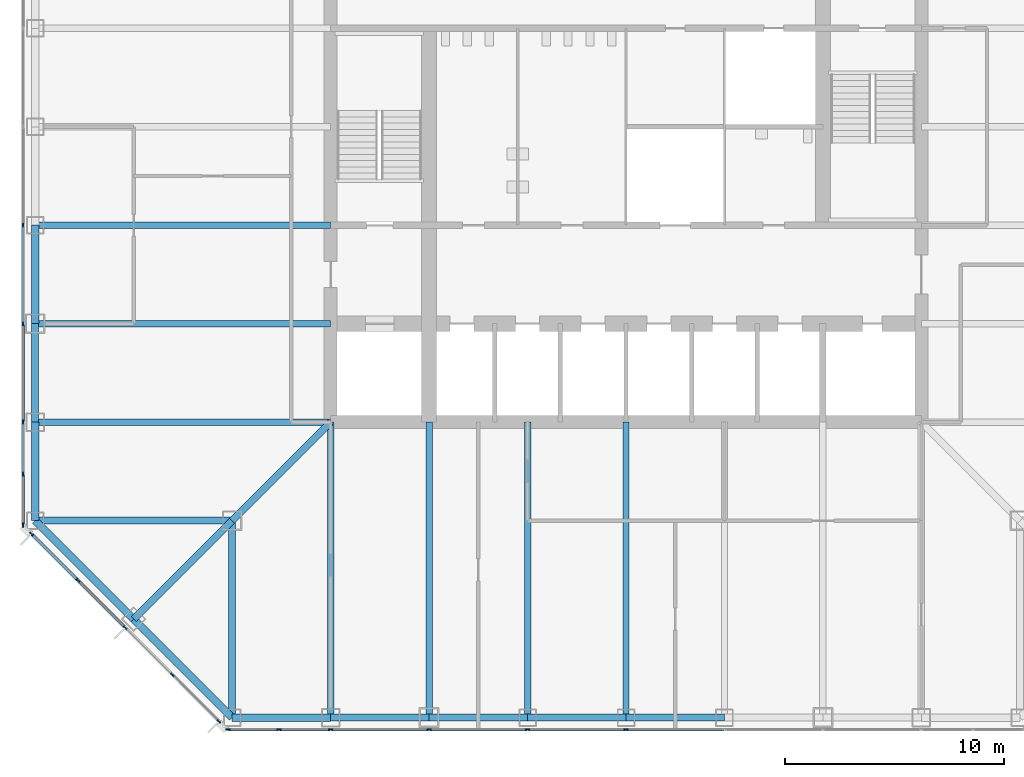
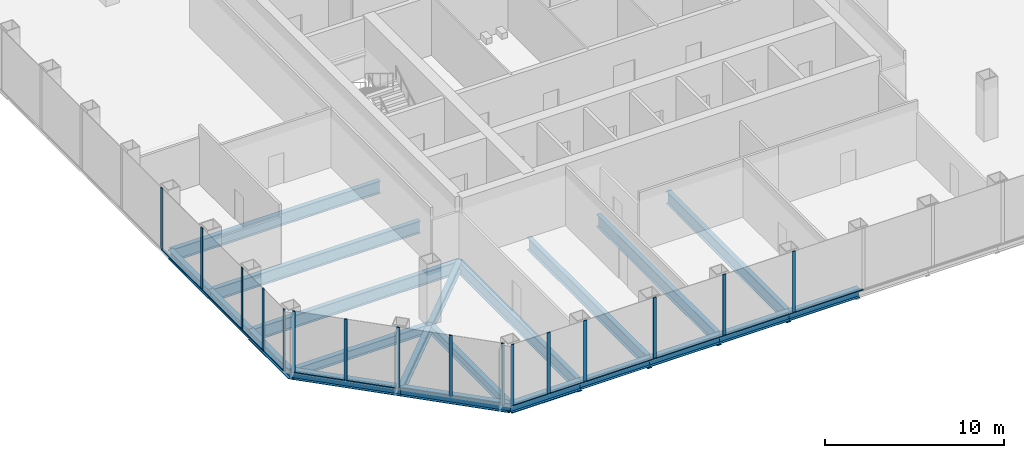
# One storey, part 2 of 13: 28 members, 21 beams, 3 elements without a shape of their own.
"""IFC4 building model written with IfcOpenShell, lengths in metres."""

from ifc_helpers import new_model, si_unit, direction, frame, origin, origin_2d, place, context, subcontext, project, spatial, rectangle, i_section, extrude, material, material_profile, profile_set, type_object, element, aggregate, save


model = new_model("IFC4")

# Units and contexts
model_context = context("Model", 3, precision=1e-05, world=origin(), true_north=direction((0.0, 1.0)))
body_context = subcontext(model_context, "Body", "Model", "MODEL_VIEW")
ifc_project = project(units=[si_unit("LENGTHUNIT", "METRE"), si_unit("AREAUNIT", "SQUARE_METRE"), si_unit("VOLUMEUNIT", "CUBIC_METRE"), si_unit("PLANEANGLEUNIT", "RADIAN"), si_unit("MASSUNIT", "GRAM", prefix="KILO")], contexts=[model_context])

# Site, building, storey
site_placement = place(None, origin())
site = spatial("IfcSite", under=ifc_project, at=site_placement, CompositionType="ELEMENT")
building_placement = place(site_placement, origin())
building = spatial("IfcBuilding", under=site, at=building_placement, Name="Corais Broadcast Tower", CompositionType="ELEMENT")
storey_placement = place(building_placement, frame((0.0, 0.0, 62.60009765625)))
storey = spatial("IfcBuildingStorey", under=building, at=storey_placement, Name="L13", CompositionType="ELEMENT", Elevation=62.60009765625)

# Beams
ifc_material_1 = material(Name="Steel ASTM A572 Grade 50", Category="steel")
ifc_material_profile_1 = material_profile(ifc_material_1, i_section(OverallWidth=0.323974609375, OverallDepth=0.611083984375, WebThickness=0.0126953125, FlangeThickness=0.01904296875, at=origin_2d()), Name="W610x155")
ifc_profile_set_1 = profile_set([ifc_material_profile_1], Name="Steel ASTM A572 Grade 50")
beam_type_1 = type_object("IfcBeamType", Name="Chamfer tie W610x155", PredefinedType="BEAM", material=ifc_profile_set_1)
beam_1_placement = place(storey_placement, frame((4.5, 4.5, -0.465576171875), z_axis=(0.707106781187, 0.707106781187, 0.0), x_axis=(-0.707106781187, 0.707106781187, 0.0)))
element("IfcBeam", 1, at=beam_1_placement, inside=storey, type_object=beam_type_1, Name="B5 B/4 to C/5", PredefinedType="BEAM", context=body_context, shape_type="SweptSolid", body=[
    extrude(i_section(OverallWidth=0.323974609375, OverallDepth=0.611083984375, WebThickness=0.0126953125, FlangeThickness=0.01904296875, at=origin_2d()), origin(), (0.0, 0.0, 1.0), 6.364013671875),
])
ifc_material_2 = material(Name="Steel ASTM A572 Grade 50", Category="steel")
ifc_material_profile_2 = material_profile(ifc_material_2, i_section(OverallWidth=0.323974609375, OverallDepth=0.611083984375, WebThickness=0.0126953125, FlangeThickness=0.01904296875, at=origin_2d()), Name="W610x155")
ifc_profile_set_2 = profile_set([ifc_material_profile_2], Name="Steel ASTM A572 Grade 50")
beam_type_2 = type_object("IfcBeamType", Name="Corner diagonal W610x155", PredefinedType="BEAM", material=ifc_profile_set_2)
beam_2_placement = place(storey_placement, frame((9.0, 9.0, -0.465576171875), z_axis=(0.707106781187, 0.707106781187, 0.0), x_axis=(-0.707106781187, 0.707106781187, 0.0)))
element("IfcBeam", 2, at=beam_2_placement, inside=storey, type_object=beam_type_2, Name="B6 C/5 to D/6", PredefinedType="BEAM", context=body_context, shape_type="SweptSolid", body=[
    extrude(i_section(OverallWidth=0.323974609375, OverallDepth=0.611083984375, WebThickness=0.0126953125, FlangeThickness=0.01904296875, at=origin_2d()), origin(), (0.0, 0.0, 1.0), 6.364013671875),
])
ifc_material_3 = material(Name="Steel ASTM A572 Grade 50", Category="steel")
ifc_material_profile_3 = material_profile(ifc_material_3, i_section(OverallWidth=0.323974609375, OverallDepth=0.611083984375, WebThickness=0.0126953125, FlangeThickness=0.01904296875, at=origin_2d()), Name="W610x155")
ifc_profile_set_3 = profile_set([ifc_material_profile_3], Name="Steel ASTM A572 Grade 50")
beam_type_3 = type_object("IfcBeamType", Name="Corner girder W610x155", PredefinedType="BEAM", material=ifc_profile_set_3)
for number, where, z_axis, x_axis, name in (
    (3, (0.0, 9.0, -0.465576171875), (1.0, 0.0, 0.0), (0.0, 1.0, 0.0), "B4 C/3 to C/5"),
    (4, (9.0, 0.0, -0.465576171875), (0.0, 1.0, 0.0), (-1.0, 0.0, 0.0), "B4 A/5 to C/5"),
):
    element("IfcBeam", number, at=place(storey_placement, frame(where, z_axis=z_axis, x_axis=x_axis)), inside=storey, type_object=beam_type_3, Name=name, PredefinedType="BEAM", context=body_context, shape_type="SweptSolid", body=[
        extrude(i_section(OverallWidth=0.323974609375, OverallDepth=0.611083984375, WebThickness=0.0126953125, FlangeThickness=0.01904296875, at=origin_2d()), origin(), (0.0, 0.0, 1.0), 9.0),
    ])
ifc_material_4 = material(Name="Steel ASTM A572 Grade 50", Category="steel")
ifc_material_profile_4 = material_profile(ifc_material_4, i_section(OverallWidth=0.337890625, OverallDepth=0.677978515625, WebThickness=0.029541015625, FlangeThickness=0.052978515625, at=origin_2d()), Name="W610x415")
ifc_profile_set_4 = profile_set([ifc_material_profile_4], Name="Steel ASTM A572 Grade 50")
beam_type_4 = type_object("IfcBeamType", Name="Corner spandrel W610x415", PredefinedType="BEAM", material=ifc_profile_set_4)
for number, where, z_axis, x_axis, name in (
    (5, (0.0, 13.5, -0.4990234375), (0.0, -1.0, 0.0), (1.0, 0.0, 0.0), "SB10 D/3 to C/3"),
    (6, (9.0, 0.0, -0.4990234375), (1.0, 0.0, 0.0), (0.0, 1.0, 0.0), "SB10 A/5 to A/6"),
):
    element("IfcBeam", number, at=place(storey_placement, frame(where, z_axis=z_axis, x_axis=x_axis)), inside=storey, type_object=beam_type_4, Name=name, PredefinedType="BEAM", context=body_context, shape_type="SweptSolid", body=[
        extrude(i_section(OverallWidth=0.337890625, OverallDepth=0.677978515625, WebThickness=0.029541015625, FlangeThickness=0.052978515625, at=origin_2d()), origin(), (0.0, 0.0, 1.0), 4.5),
    ])
ifc_material_5 = material(Name="Steel ASTM A572 Grade 50", Category="steel")
ifc_material_profile_5 = material_profile(ifc_material_5, i_section(OverallWidth=0.2939453125, OverallDepth=0.85107421875, WebThickness=0.01611328125, FlangeThickness=0.02685546875, at=origin_2d()), Name="W840x226")
ifc_profile_set_5 = profile_set([ifc_material_profile_5], Name="Steel ASTM A572 Grade 50")
beam_type_5 = type_object("IfcBeamType", Name="Floor beam W840x226", PredefinedType="BEAM", material=ifc_profile_set_5)
for number, where, z_axis, x_axis, name in (
    (7, (0.0, 13.5, -0.585693359375), (1.0, 0.0, 0.0), (0.0, 1.0, 0.0), "B1 D/3 to D/6"),
    (8, (0.0, 18.0, -0.585693359375), (1.0, 0.0, 0.0), (0.0, 1.0, 0.0), "B1 E/3 to E/6"),
    (9, (0.0, 22.5, -0.585693359375), (1.0, 0.0, 0.0), (0.0, 1.0, 0.0), "B1 F/3 to F/6"),
    (10, (13.5, 0.0, -0.585693359375), (0.0, 1.0, 0.0), (-1.0, 0.0, 0.0), "B1 A/6 to D/6"),
    (11, (18.0, 0.0, -0.585693359375), (0.0, 1.0, 0.0), (-1.0, 0.0, 0.0), "B1 A/7 to D/7"),
    (12, (22.5, 0.0, -0.585693359375), (0.0, 1.0, 0.0), (-1.0, 0.0, 0.0), "B1 A/8 to D/8"),
    (13, (27.0, 0.0, -0.585693359375), (0.0, 1.0, 0.0), (-1.0, 0.0, 0.0), "B1 A/9 to D/9"),
):
    element("IfcBeam", number, at=place(storey_placement, frame(where, z_axis=z_axis, x_axis=x_axis)), inside=storey, type_object=beam_type_5, Name=name, PredefinedType="BEAM", context=body_context, shape_type="SweptSolid", body=[
        extrude(i_section(OverallWidth=0.2939453125, OverallDepth=0.85107421875, WebThickness=0.01611328125, FlangeThickness=0.02685546875, at=origin_2d()), origin(), (0.0, 0.0, 1.0), 13.5),
    ])

# Curtain wall, members
ifc_material_6 = material(Name="Aluminium and glass", Category="aluminium")
curtain_wall_type = type_object("IfcCurtainWallType", Name="Unitised fritted curtain wall CW1", PredefinedType="NOTDEFINED", material=ifc_material_6)
curtain_wall_1_placement = place(storey_placement, origin())
curtain_wall_1 = element("IfcCurtainWall", 14, at=curtain_wall_1_placement, inside=storey, type_object=curtain_wall_type, Name="CW1 curtain wall L13 1", PredefinedType="NOTDEFINED")
ifc_material_7 = material(Name="Aluminium 6063-T6", Category="aluminium")
ifc_material_profile_6 = material_profile(ifc_material_7, rectangle(XDim=0.06494140625, YDim=0.199951171875, at=origin_2d()), Name="Mullion CW1 65x200")
ifc_profile_set_6 = profile_set([ifc_material_profile_6], Name="Aluminium 6063-T6")
member_type_1 = type_object("IfcMemberType", Name="Mullion CW1 65x200", PredefinedType="MULLION", material=ifc_profile_set_6)
member_1_placement = place(storey_placement, frame((8.3955078125, -0.17333984375, 0.0), z_axis=(0.0, 0.0, 1.0), x_axis=(-0.707106781187, -0.707106781187, 0.0)))
member_1 = element("IfcMember", 15, at=member_1_placement, type_object=member_type_1, Name="CW1 mullion 1", PredefinedType="MULLION", context=body_context, shape_type="SweptSolid", body=[
    extrude(rectangle(XDim=0.06494140625, YDim=0.199951171875, at=origin_2d()), origin(), (0.0, 0.0, 1.0), 4.199951171875),
])
member_2_placement = place(storey_placement, frame((6.264892578125, 1.957275390625, 0.0), z_axis=(0.0, 0.0, 1.0), x_axis=(-0.707106781187, -0.707106781187, 0.0)))
member_2 = element("IfcMember", 16, at=member_2_placement, type_object=member_type_1, Name="CW1 mullion 2", PredefinedType="MULLION", context=body_context, shape_type="SweptSolid", body=[
    extrude(rectangle(XDim=0.06494140625, YDim=0.199951171875, at=origin_2d()), origin(), (0.0, 0.0, 1.0), 4.199951171875),
])
member_3_placement = place(storey_placement, frame((4.111083984375, 4.111083984375, 0.0), z_axis=(0.0, 0.0, 1.0), x_axis=(-0.707106781187, -0.707106781187, 0.0)))
member_3 = element("IfcMember", 17, at=member_3_placement, type_object=member_type_1, Name="CW1 mullion 3", PredefinedType="MULLION", context=body_context, shape_type="SweptSolid", body=[
    extrude(rectangle(XDim=0.06494140625, YDim=0.199951171875, at=origin_2d()), origin(), (0.0, 0.0, 1.0), 4.199951171875),
])
member_4_placement = place(storey_placement, frame((1.957275390625, 6.264892578125, 0.0), z_axis=(0.0, 0.0, 1.0), x_axis=(-0.707106781187, -0.707106781187, 0.0)))
member_4 = element("IfcMember", 18, at=member_4_placement, type_object=member_type_1, Name="CW1 mullion 4", PredefinedType="MULLION", context=body_context, shape_type="SweptSolid", body=[
    extrude(rectangle(XDim=0.06494140625, YDim=0.199951171875, at=origin_2d()), origin(), (0.0, 0.0, 1.0), 4.199951171875),
])
member_5_placement = place(storey_placement, frame((-0.17333984375, 8.3955078125, 0.0), z_axis=(0.0, 0.0, 1.0), x_axis=(-0.707106781187, -0.707106781187, 0.0)))
member_5 = element("IfcMember", 19, at=member_5_placement, type_object=member_type_1, Name="CW1 mullion 5", PredefinedType="MULLION", context=body_context, shape_type="SweptSolid", body=[
    extrude(rectangle(XDim=0.06494140625, YDim=0.199951171875, at=origin_2d()), origin(), (0.0, 0.0, 1.0), 4.199951171875),
])

curtain_wall_2_placement = place(storey_placement, origin())
curtain_wall_2 = element("IfcCurtainWall", 20, at=curtain_wall_2_placement, inside=storey, type_object=curtain_wall_type, Name="CW1 curtain wall L13 2", PredefinedType="NOTDEFINED")
member_6_placement = place(storey_placement, frame((-0.550048828125, 8.8046875, 0.0), z_axis=(0.0, 0.0, 1.0), x_axis=(-1.0, 0.0, 0.0)))
member_6 = element("IfcMember", 21, at=member_6_placement, type_object=member_type_1, Name="CW1 mullion 1", PredefinedType="MULLION", context=body_context, shape_type="SweptSolid", body=[
    extrude(rectangle(XDim=0.06494140625, YDim=0.199951171875, at=origin_2d()), origin(), (0.0, 0.0, 1.0), 4.199951171875),
])
member_7_placement = place(storey_placement, frame((-0.550048828125, 11.135986328125, 0.0), z_axis=(0.0, 0.0, 1.0), x_axis=(-1.0, 0.0, 0.0)))
member_7 = element("IfcMember", 22, at=member_7_placement, type_object=member_type_1, Name="CW1 mullion 2", PredefinedType="MULLION", context=body_context, shape_type="SweptSolid", body=[
    extrude(rectangle(XDim=0.06494140625, YDim=0.199951171875, at=origin_2d()), origin(), (0.0, 0.0, 1.0), 4.199951171875),
])
member_8_placement = place(storey_placement, frame((-0.550048828125, 13.5, 0.0), z_axis=(0.0, 0.0, 1.0), x_axis=(-1.0, 0.0, 0.0)))
member_8 = element("IfcMember", 23, at=member_8_placement, type_object=member_type_1, Name="CW1 mullion 3", PredefinedType="MULLION", context=body_context, shape_type="SweptSolid", body=[
    extrude(rectangle(XDim=0.06494140625, YDim=0.199951171875, at=origin_2d()), origin(), (0.0, 0.0, 1.0), 4.199951171875),
])
member_9_placement = place(storey_placement, frame((-0.550048828125, 18.0, 0.0), z_axis=(0.0, 0.0, 1.0), x_axis=(-1.0, 0.0, 0.0)))
member_9 = element("IfcMember", 24, at=member_9_placement, type_object=member_type_1, Name="CW1 mullion 4", PredefinedType="MULLION", context=body_context, shape_type="SweptSolid", body=[
    extrude(rectangle(XDim=0.06494140625, YDim=0.199951171875, at=origin_2d()), origin(), (0.0, 0.0, 1.0), 4.199951171875),
])
member_10_placement = place(storey_placement, frame((-0.550048828125, 22.5, 0.0), z_axis=(0.0, 0.0, 1.0), x_axis=(-1.0, 0.0, 0.0)))
member_10 = element("IfcMember", 25, at=member_10_placement, type_object=member_type_1, Name="CW1 mullion 5", PredefinedType="MULLION", context=body_context, shape_type="SweptSolid", body=[
    extrude(rectangle(XDim=0.06494140625, YDim=0.199951171875, at=origin_2d()), origin(), (0.0, 0.0, 1.0), 4.199951171875),
])

curtain_wall_3_placement = place(storey_placement, origin())
curtain_wall_3 = element("IfcCurtainWall", 26, at=curtain_wall_3_placement, inside=storey, type_object=curtain_wall_type, Name="CW1 curtain wall L13 8", PredefinedType="NOTDEFINED")
member_11_placement = place(storey_placement, frame((27.0, -0.550048828125, 0.0), z_axis=(0.0, 0.0, 1.0), x_axis=(0.0, -1.0, 0.0)))
member_11 = element("IfcMember", 27, at=member_11_placement, type_object=member_type_1, Name="CW1 mullion 6", PredefinedType="MULLION", context=body_context, shape_type="SweptSolid", body=[
    extrude(rectangle(XDim=0.06494140625, YDim=0.199951171875, at=origin_2d()), origin(), (0.0, 0.0, 1.0), 4.199951171875),
])
member_12_placement = place(storey_placement, frame((22.5, -0.550048828125, 0.0), z_axis=(0.0, 0.0, 1.0), x_axis=(0.0, -1.0, 0.0)))
member_12 = element("IfcMember", 28, at=member_12_placement, type_object=member_type_1, Name="CW1 mullion 7", PredefinedType="MULLION", context=body_context, shape_type="SweptSolid", body=[
    extrude(rectangle(XDim=0.06494140625, YDim=0.199951171875, at=origin_2d()), origin(), (0.0, 0.0, 1.0), 4.199951171875),
])
member_13_placement = place(storey_placement, frame((18.0, -0.550048828125, 0.0), z_axis=(0.0, 0.0, 1.0), x_axis=(0.0, -1.0, 0.0)))
member_13 = element("IfcMember", 29, at=member_13_placement, type_object=member_type_1, Name="CW1 mullion 8", PredefinedType="MULLION", context=body_context, shape_type="SweptSolid", body=[
    extrude(rectangle(XDim=0.06494140625, YDim=0.199951171875, at=origin_2d()), origin(), (0.0, 0.0, 1.0), 4.199951171875),
])
member_14_placement = place(storey_placement, frame((13.5, -0.550048828125, 0.0), z_axis=(0.0, 0.0, 1.0), x_axis=(0.0, -1.0, 0.0)))
member_14 = element("IfcMember", 30, at=member_14_placement, type_object=member_type_1, Name="CW1 mullion 9", PredefinedType="MULLION", context=body_context, shape_type="SweptSolid", body=[
    extrude(rectangle(XDim=0.06494140625, YDim=0.199951171875, at=origin_2d()), origin(), (0.0, 0.0, 1.0), 4.199951171875),
])
member_15_placement = place(storey_placement, frame((11.135986328125, -0.550048828125, 0.0), z_axis=(0.0, 0.0, 1.0), x_axis=(0.0, -1.0, 0.0)))
member_15 = element("IfcMember", 31, at=member_15_placement, type_object=member_type_1, Name="CW1 mullion 10", PredefinedType="MULLION", context=body_context, shape_type="SweptSolid", body=[
    extrude(rectangle(XDim=0.06494140625, YDim=0.199951171875, at=origin_2d()), origin(), (0.0, 0.0, 1.0), 4.199951171875),
])
member_16_placement = place(storey_placement, frame((8.8046875, -0.550048828125, 0.0), z_axis=(0.0, 0.0, 1.0), x_axis=(0.0, -1.0, 0.0)))
member_16 = element("IfcMember", 32, at=member_16_placement, type_object=member_type_1, Name="CW1 mullion 11", PredefinedType="MULLION", context=body_context, shape_type="SweptSolid", body=[
    extrude(rectangle(XDim=0.06494140625, YDim=0.199951171875, at=origin_2d()), origin(), (0.0, 0.0, 1.0), 4.199951171875),
])

# Beams
ifc_material_8 = material(Name="Steel ASTM A572 Grade 50", Category="steel")
ifc_material_profile_7 = material_profile(ifc_material_8, i_section(OverallWidth=0.323974609375, OverallDepth=0.611083984375, WebThickness=0.0126953125, FlangeThickness=0.01904296875, at=origin_2d()), Name="W610x155")
ifc_profile_set_7 = profile_set([ifc_material_profile_7], Name="Steel ASTM A572 Grade 50")
beam_type_6 = type_object("IfcBeamType", Name="Pinned spandrel W610x155", PredefinedType="BEAM", material=ifc_profile_set_7)
for number, where, z_axis, x_axis, name in (
    (33, (0.0, 18.0, -0.465576171875), (0.0, -1.0, 0.0), (1.0, 0.0, 0.0), "SB6 E/3 to D/3"),
    (34, (13.5, 0.0, -0.465576171875), (1.0, 0.0, 0.0), (0.0, 1.0, 0.0), "SB6 A/6 to A/7"),
):
    element("IfcBeam", number, at=place(storey_placement, frame(where, z_axis=z_axis, x_axis=x_axis)), inside=storey, type_object=beam_type_6, Name=name, PredefinedType="BEAM", context=body_context, shape_type="SweptSolid", body=[
        extrude(i_section(OverallWidth=0.323974609375, OverallDepth=0.611083984375, WebThickness=0.0126953125, FlangeThickness=0.01904296875, at=origin_2d()), origin(), (0.0, 0.0, 1.0), 4.5),
    ])
ifc_material_9 = material(Name="Steel ASTM A572 Grade 50", Category="steel")
ifc_material_profile_8 = material_profile(ifc_material_9, i_section(OverallWidth=0.3291015625, OverallDepth=0.635009765625, WebThickness=0.017822265625, FlangeThickness=0.031005859375, at=origin_2d()), Name="W610x241")
ifc_profile_set_8 = profile_set([ifc_material_profile_8], Name="Steel ASTM A572 Grade 50")
beam_type_7 = type_object("IfcBeamType", Name="Spandrel W610x241", PredefinedType="BEAM", material=ifc_profile_set_8)
beam_3_placement = place(storey_placement, frame((0.0, 22.5, -0.4775390625), z_axis=(0.0, -1.0, 0.0), x_axis=(1.0, 0.0, 0.0)))
element("IfcBeam", 35, at=beam_3_placement, inside=storey, type_object=beam_type_7, Name="SB1 F/3 to E/3", PredefinedType="BEAM", context=body_context, shape_type="SweptSolid", body=[
    extrude(i_section(OverallWidth=0.3291015625, OverallDepth=0.635009765625, WebThickness=0.017822265625, FlangeThickness=0.031005859375, at=origin_2d()), origin(), (0.0, 0.0, 1.0), 4.5),
])
beam_4_placement = place(storey_placement, frame((0.0, 9.0, -0.4775390625), z_axis=(0.707106781187, -0.707106781187, 0.0), x_axis=(0.707106781187, 0.707106781187, 0.0)))
element("IfcBeam", 36, at=beam_4_placement, inside=storey, type_object=beam_type_7, Name="SB1 C/3 to B/4", PredefinedType="BEAM", context=body_context, shape_type="SweptSolid", body=[
    extrude(i_section(OverallWidth=0.3291015625, OverallDepth=0.635009765625, WebThickness=0.017822265625, FlangeThickness=0.031005859375, at=origin_2d()), origin(), (0.0, 0.0, 1.0), 6.364013671875),
])
for number, where, z_axis, x_axis, name in (
    (37, (18.0, 0.0, -0.4775390625), (1.0, 0.0, 0.0), (0.0, 1.0, 0.0), "SB1 A/7 to A/8"),
    (38, (22.5, 0.0, -0.4775390625), (1.0, 0.0, 0.0), (0.0, 1.0, 0.0), "SB1 A/8 to A/9"),
    (39, (27.0, 0.0, -0.4775390625), (1.0, 0.0, 0.0), (0.0, 1.0, 0.0), "SB1 A/9 to A/10"),
):
    element("IfcBeam", number, at=place(storey_placement, frame(where, z_axis=z_axis, x_axis=x_axis)), inside=storey, type_object=beam_type_7, Name=name, PredefinedType="BEAM", context=body_context, shape_type="SweptSolid", body=[
        extrude(i_section(OverallWidth=0.3291015625, OverallDepth=0.635009765625, WebThickness=0.017822265625, FlangeThickness=0.031005859375, at=origin_2d()), origin(), (0.0, 0.0, 1.0), 4.5),
    ])
beam_5_placement = place(storey_placement, frame((4.5, 4.5, -0.4775390625), z_axis=(0.707106781187, -0.707106781187, 0.0), x_axis=(0.707106781187, 0.707106781187, 0.0)))
element("IfcBeam", 40, at=beam_5_placement, inside=storey, type_object=beam_type_7, Name="SB1 B/4 to A/5", PredefinedType="BEAM", context=body_context, shape_type="SweptSolid", body=[
    extrude(i_section(OverallWidth=0.3291015625, OverallDepth=0.635009765625, WebThickness=0.017822265625, FlangeThickness=0.031005859375, at=origin_2d()), origin(), (0.0, 0.0, 1.0), 6.364013671875),
])

# Member
ifc_material_10 = material(Name="Aluminium 6063-T6", Category="aluminium")
ifc_material_profile_9 = material_profile(ifc_material_10, rectangle(XDim=0.139892578125, YDim=0.06494140625, at=origin_2d()), Name="Transom CW1 65x140")
ifc_profile_set_9 = profile_set([ifc_material_profile_9], Name="Aluminium 6063-T6")
member_type_2 = type_object("IfcMemberType", Name="Transom CW1 65x140", PredefinedType="USERDEFINED", material=ifc_profile_set_9)
member_17_placement = place(storey_placement, frame((4.088134765625, 4.134033203125, 0.032470703125), z_axis=(-0.707106781187, 0.707106781187, 0.0), x_axis=(-0.707106781187, -0.707106781187, 0.0)))
member_17 = element("IfcMember", 41, at=member_17_placement, type_object=member_type_2, Name="CW1 transom 3.1", ObjectType="TRANSOM", PredefinedType="USERDEFINED", context=body_context, shape_type="SweptSolid", body=[
    extrude(rectangle(XDim=0.139892578125, YDim=0.06494140625, at=origin_2d()), origin(), (0.0, 0.0, 1.0), 2.98095703125),
])

member_18_placement = place(storey_placement, frame((1.934326171875, 6.287841796875, 0.032470703125), z_axis=(-0.707106781187, 0.707106781187, 0.0), x_axis=(-0.707106781187, -0.707106781187, 0.0)))
member_18 = element("IfcMember", 42, at=member_18_placement, type_object=member_type_2, Name="CW1 transom 4.1", ObjectType="TRANSOM", PredefinedType="USERDEFINED", context=body_context, shape_type="SweptSolid", body=[
    extrude(rectangle(XDim=0.139892578125, YDim=0.06494140625, at=origin_2d()), origin(), (0.0, 0.0, 1.0), 2.9482421875),
])

aggregate(curtain_wall_1, [member_1, member_2, member_3, member_4, member_5, member_17, member_18])

member_19_placement = place(storey_placement, frame((-0.550048828125, 8.837158203125, 0.032470703125), z_axis=(0.0, 1.0, 0.0), x_axis=(-1.0, 0.0, 0.0)))
member_19 = element("IfcMember", 43, at=member_19_placement, type_object=member_type_2, Name="CW1 transom 1.1", ObjectType="TRANSOM", PredefinedType="USERDEFINED", context=body_context, shape_type="SweptSolid", body=[
    extrude(rectangle(XDim=0.139892578125, YDim=0.06494140625, at=origin_2d()), origin(), (0.0, 0.0, 1.0), 2.266357421875),
])

member_20_placement = place(storey_placement, frame((-0.550048828125, 11.168701171875, 0.032470703125), z_axis=(0.0, 1.0, 0.0), x_axis=(-1.0, 0.0, 0.0)))
member_20 = element("IfcMember", 44, at=member_20_placement, type_object=member_type_2, Name="CW1 transom 2.1", ObjectType="TRANSOM", PredefinedType="USERDEFINED", context=body_context, shape_type="SweptSolid", body=[
    extrude(rectangle(XDim=0.139892578125, YDim=0.06494140625, at=origin_2d()), origin(), (0.0, 0.0, 1.0), 2.298828125),
])

member_21_placement = place(storey_placement, frame((-0.550048828125, 13.532470703125, 0.032470703125), z_axis=(0.0, 1.0, 0.0), x_axis=(-1.0, 0.0, 0.0)))
member_21 = element("IfcMember", 45, at=member_21_placement, type_object=member_type_2, Name="CW1 transom 3.1", ObjectType="TRANSOM", PredefinedType="USERDEFINED", context=body_context, shape_type="SweptSolid", body=[
    extrude(rectangle(XDim=0.139892578125, YDim=0.06494140625, at=origin_2d()), origin(), (0.0, 0.0, 1.0), 4.43505859375),
])

member_22_placement = place(storey_placement, frame((-0.550048828125, 18.032470703125, 0.032470703125), z_axis=(0.0, 1.0, 0.0), x_axis=(-1.0, 0.0, 0.0)))
member_22 = element("IfcMember", 46, at=member_22_placement, type_object=member_type_2, Name="CW1 transom 4.1", ObjectType="TRANSOM", PredefinedType="USERDEFINED", context=body_context, shape_type="SweptSolid", body=[
    extrude(rectangle(XDim=0.139892578125, YDim=0.06494140625, at=origin_2d()), origin(), (0.0, 0.0, 1.0), 4.43505859375),
])

aggregate(curtain_wall_2, [member_6, member_7, member_8, member_9, member_10, member_19, member_20, member_21, member_22])

member_23_placement = place(storey_placement, frame((31.467529296875, -0.550048828125, 0.032470703125), z_axis=(-1.0, 0.0, 0.0), x_axis=(0.0, -1.0, 0.0)))
member_23 = element("IfcMember", 47, at=member_23_placement, type_object=member_type_2, Name="CW1 transom 5.1", ObjectType="TRANSOM", PredefinedType="USERDEFINED", context=body_context, shape_type="SweptSolid", body=[
    extrude(rectangle(XDim=0.139892578125, YDim=0.06494140625, at=origin_2d()), origin(), (0.0, 0.0, 1.0), 4.43505859375),
])

member_24_placement = place(storey_placement, frame((26.967529296875, -0.550048828125, 0.032470703125), z_axis=(-1.0, 0.0, 0.0), x_axis=(0.0, -1.0, 0.0)))
member_24 = element("IfcMember", 48, at=member_24_placement, type_object=member_type_2, Name="CW1 transom 6.1", ObjectType="TRANSOM", PredefinedType="USERDEFINED", context=body_context, shape_type="SweptSolid", body=[
    extrude(rectangle(XDim=0.139892578125, YDim=0.06494140625, at=origin_2d()), origin(), (0.0, 0.0, 1.0), 4.43505859375),
])

member_25_placement = place(storey_placement, frame((22.467529296875, -0.550048828125, 0.032470703125), z_axis=(-1.0, 0.0, 0.0), x_axis=(0.0, -1.0, 0.0)))
member_25 = element("IfcMember", 49, at=member_25_placement, type_object=member_type_2, Name="CW1 transom 7.1", ObjectType="TRANSOM", PredefinedType="USERDEFINED", context=body_context, shape_type="SweptSolid", body=[
    extrude(rectangle(XDim=0.139892578125, YDim=0.06494140625, at=origin_2d()), origin(), (0.0, 0.0, 1.0), 4.43505859375),
])

member_26_placement = place(storey_placement, frame((17.967529296875, -0.550048828125, 0.032470703125), z_axis=(-1.0, 0.0, 0.0), x_axis=(0.0, -1.0, 0.0)))
member_26 = element("IfcMember", 50, at=member_26_placement, type_object=member_type_2, Name="CW1 transom 8.1", ObjectType="TRANSOM", PredefinedType="USERDEFINED", context=body_context, shape_type="SweptSolid", body=[
    extrude(rectangle(XDim=0.139892578125, YDim=0.06494140625, at=origin_2d()), origin(), (0.0, 0.0, 1.0), 4.43505859375),
])

member_27_placement = place(storey_placement, frame((13.467529296875, -0.550048828125, 0.032470703125), z_axis=(-1.0, 0.0, 0.0), x_axis=(0.0, -1.0, 0.0)))
member_27 = element("IfcMember", 51, at=member_27_placement, type_object=member_type_2, Name="CW1 transom 9.1", ObjectType="TRANSOM", PredefinedType="USERDEFINED", context=body_context, shape_type="SweptSolid", body=[
    extrude(rectangle(XDim=0.139892578125, YDim=0.06494140625, at=origin_2d()), origin(), (0.0, 0.0, 1.0), 2.298828125),
])

member_28_placement = place(storey_placement, frame((11.103515625, -0.550048828125, 0.032470703125), z_axis=(-1.0, 0.0, 0.0), x_axis=(0.0, -1.0, 0.0)))
member_28 = element("IfcMember", 52, at=member_28_placement, type_object=member_type_2, Name="CW1 transom 10.1", ObjectType="TRANSOM", PredefinedType="USERDEFINED", context=body_context, shape_type="SweptSolid", body=[
    extrude(rectangle(XDim=0.139892578125, YDim=0.06494140625, at=origin_2d()), origin(), (0.0, 0.0, 1.0), 2.266357421875),
])

aggregate(curtain_wall_3, [member_11, member_12, member_13, member_14, member_15, member_16, member_23, member_24, member_25, member_26, member_27, member_28])

save(model, "model.ifc")
